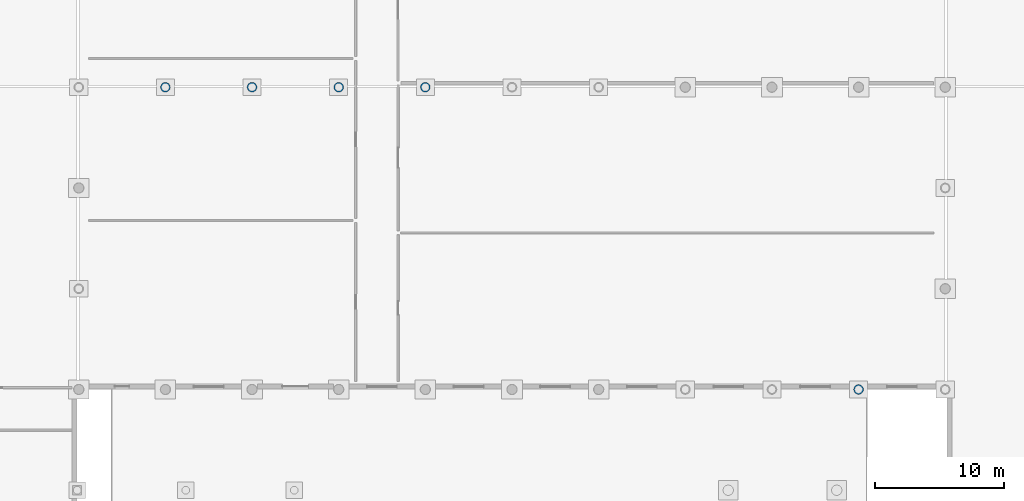
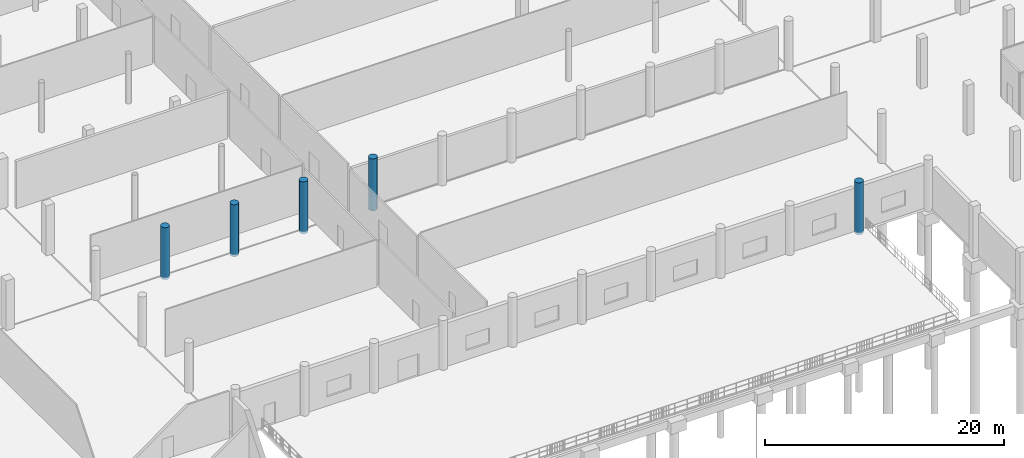
# One storey, part 11 of 48: 5 columns.
"""IFC4 building model written with IfcOpenShell, lengths in metres."""

from ifc_helpers import new_model, si_unit, direction, frame, origin, origin_2d, place, context, subcontext, project, spatial, circle, extrude, material, material_profile, profile_set, type_object, element, save


model = new_model("IFC4")

# Units and contexts
model_context = context("Model", 3, precision=1e-05, world=origin(), true_north=direction((0.0, 1.0)))
body_context = subcontext(model_context, "Body", "Model", "MODEL_VIEW")
ifc_project = project(units=[si_unit("LENGTHUNIT", "METRE"), si_unit("AREAUNIT", "SQUARE_METRE"), si_unit("VOLUMEUNIT", "CUBIC_METRE"), si_unit("PLANEANGLEUNIT", "RADIAN"), si_unit("MASSUNIT", "GRAM", prefix="KILO")], contexts=[model_context])

# Site, building, storey
site_placement = place(None, origin())
site = spatial("IfcSite", under=ifc_project, at=site_placement, CompositionType="ELEMENT")
building_placement = place(site_placement, origin())
building = spatial("IfcBuilding", under=site, at=building_placement, Name="Nabrawat Pavilion Hospital", CompositionType="ELEMENT")
storey_placement = place(building_placement, frame((0.0, 0.0, -5.10009765625)))
storey = spatial("IfcBuildingStorey", under=building, at=storey_placement, Name="B1", CompositionType="ELEMENT", Elevation=-5.10009765625)

# Columns
ifc_material = material(Name="Concrete C40/50", Category="concrete")
ifc_material_profile = material_profile(ifc_material, circle(Radius=0.375, at=origin_2d()), Name="RC D750")
ifc_profile_set = profile_set([ifc_material_profile], Name="Concrete C40/50")
column_type = type_object("IfcColumnType", Name="Pavilion Base Composite Column D750", PredefinedType="COLUMN", material=ifc_profile_set)
for number, where, z_axis, x_axis, name in (
    (1, (65.6279296875, 39.0, -0.219970703125), (0.0, 0.0, 1.0), (1.0, 0.0, 0.0), "B1 Expressed Pavilion Column MH-N01"),
    (2, (72.3359375, 39.0, -0.219970703125), (0.0, 0.0, 1.0), (1.0, 0.0, 0.0), "B1 Expressed Pavilion Column MH-N02"),
    (3, (79.0439453125, 39.0, -0.219970703125), (0.0, 0.0, 1.0), (1.0, 0.0, 0.0), "B1 Expressed Pavilion Column MH-N03"),
    (4, (85.751953125, 39.0, -0.219970703125), (0.0, 0.0, 1.0), (1.0, 0.0, 0.0), "B1 Expressed Pavilion Column MH-N04"),
    (5, (119.2919921875, 15.60009765625, -0.219970703125), (0.0, 0.0, 1.0), (1.0, 0.0, 0.0), "B1 Expressed Pavilion Column MH-S09"),
):
    element("IfcColumn", number, at=place(storey_placement, frame(where, z_axis=z_axis, x_axis=x_axis)), inside=storey, type_object=column_type, Name=name, PredefinedType="COLUMN", context=body_context, shape_type="SweptSolid", body=[
        extrude(circle(Radius=0.375, at=origin_2d()), origin(), (0.0, 0.0, 1.0), 5.320068359375),
    ])

save(model, "model.ifc")
